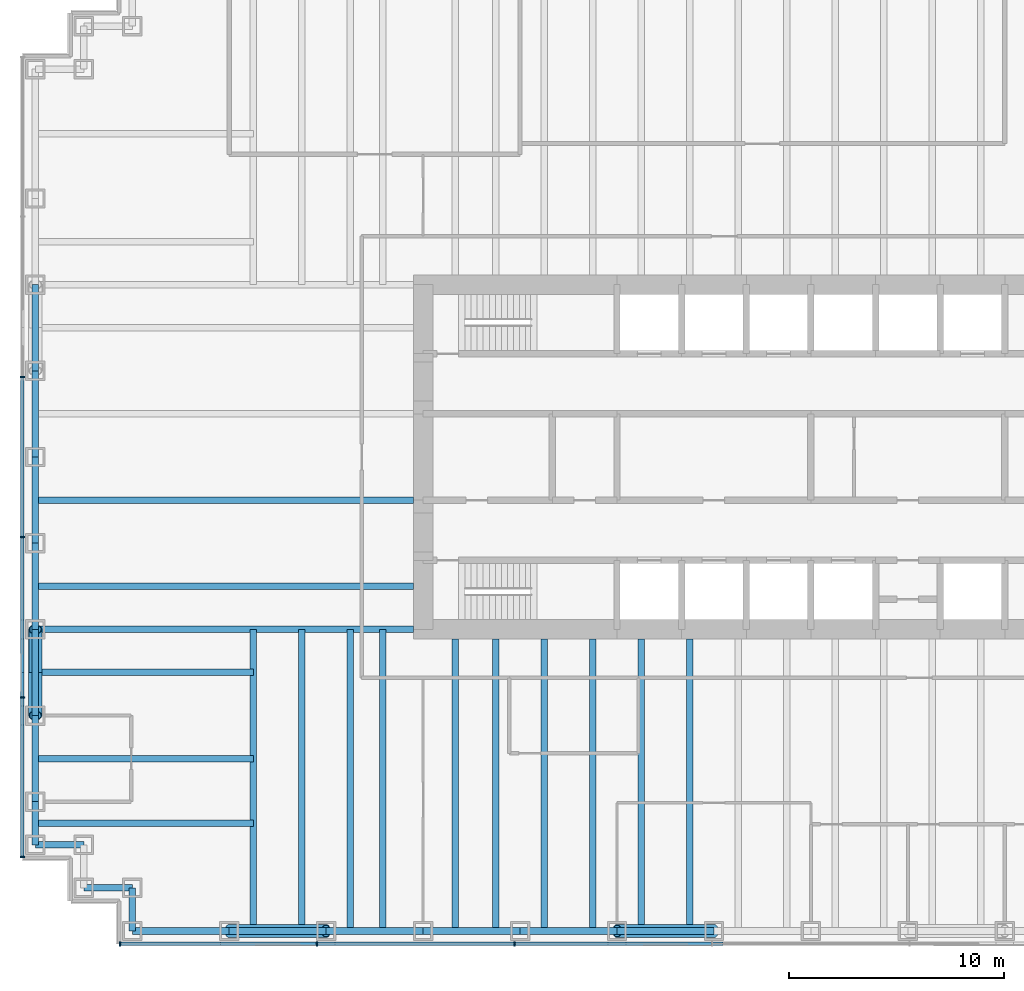
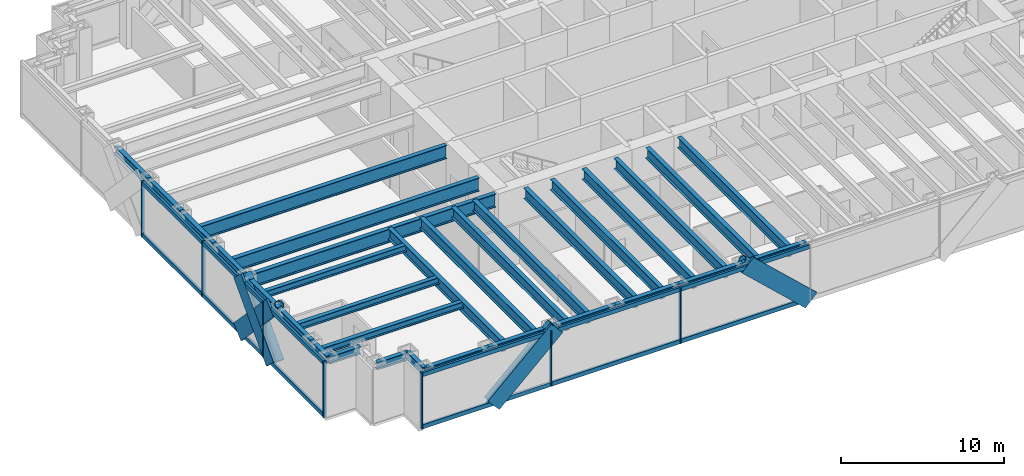
# One storey, part 2 of 17: 32 beams, 27 members, 2 elements without a shape of their own.
"""IFC4 building model written with IfcOpenShell, lengths in metres."""

from ifc_helpers import new_model, si_unit, direction, frame, origin, origin_2d, place, context, subcontext, project, spatial, rectangle, hollow_circle, i_section, extrude, material, material_profile, profile_set, type_object, element, aggregate, save


model = new_model("IFC4")

# Units and contexts
model_context = context("Model", 3, precision=1e-05, world=origin(), true_north=direction((0.0, 1.0)))
body_context = subcontext(model_context, "Body", "Model", "MODEL_VIEW")
ifc_project = project(units=[si_unit("LENGTHUNIT", "METRE"), si_unit("AREAUNIT", "SQUARE_METRE"), si_unit("VOLUMEUNIT", "CUBIC_METRE"), si_unit("PLANEANGLEUNIT", "RADIAN"), si_unit("MASSUNIT", "GRAM", prefix="KILO")], contexts=[model_context])

# Site, building, storey
site_placement = place(None, origin())
site = spatial("IfcSite", under=ifc_project, at=site_placement, CompositionType="ELEMENT")
building_placement = place(site_placement, origin())
building = spatial("IfcBuilding", under=site, at=building_placement, Name="Rheinbord Bourse Tower", CompositionType="ELEMENT")
storey_placement = place(building_placement, frame((0.0, 0.0, 129.89990234375)))
storey = spatial("IfcBuildingStorey", under=building, at=storey_placement, Name="L28", CompositionType="ELEMENT", Elevation=129.89990234375)

# Curtain wall, members
ifc_material_1 = material(Name="Dark glass and black aluminium", Category="aluminium")
curtain_wall_type = type_object("IfcCurtainWallType", Name="CW2 DARK GLASS CURTAIN WALL", PredefinedType="USERDEFINED", material=ifc_material_1)
curtain_wall_1_placement = place(storey_placement, origin())
curtain_wall_1 = element("IfcCurtainWall", 1, at=curtain_wall_1_placement, inside=storey, type_object=curtain_wall_type, Name="Curtain wall CW2 S L28", ObjectType="UNITISED CURTAIN WALL", PredefinedType="USERDEFINED")
ifc_material_2 = material(Name="Black anodised aluminium", Category="aluminium")
ifc_material_profile_1 = material_profile(ifc_material_2, rectangle(XDim=0.159912109375, YDim=1.2099609375, at=origin_2d()), Name="CW2 DIAGONAL MULLION 1210x160")
ifc_profile_set_1 = profile_set([ifc_material_profile_1], Name="Black anodised aluminium")
member_type_1 = type_object("IfcMemberType", Name="CW2 BLACK DIAGONAL MULLION", PredefinedType="USERDEFINED", material=ifc_profile_set_1)
member_1_placement = place(storey_placement, frame((9.0, 1.39990234375, 0.0), z_axis=(0.731039441158, 0.0, 0.682335207557), x_axis=(0.0, 1.0, 0.0)))
member_1 = element("IfcMember", 2, at=member_1_placement, type_object=member_type_1, Name="CW2 diagonal mullion a", ObjectType="DIAGONAL MULLION", PredefinedType="USERDEFINED", context=body_context, shape_type="SweptSolid", body=[
    extrude(rectangle(XDim=0.159912109375, YDim=1.2099609375, at=origin_2d()), origin(), (0.0, 0.0, 1.0), 6.155517578125),
])
member_2_placement = place(storey_placement, frame((31.5, 1.39990234375, 0.0), z_axis=(-0.731039441158, 0.0, 0.682335207557), x_axis=(0.0, -1.0, 0.0)))
member_2 = element("IfcMember", 3, at=member_2_placement, type_object=member_type_1, Name="CW2 diagonal mullion d", ObjectType="DIAGONAL MULLION", PredefinedType="USERDEFINED", context=body_context, shape_type="SweptSolid", body=[
    extrude(rectangle(XDim=0.159912109375, YDim=1.2099609375, at=origin_2d()), origin(), (0.0, 0.0, 1.0), 6.155517578125),
])

curtain_wall_2_placement = place(storey_placement, origin())
curtain_wall_2 = element("IfcCurtainWall", 4, at=curtain_wall_2_placement, inside=storey, type_object=curtain_wall_type, Name="Curtain wall CW2 W L28", ObjectType="UNITISED CURTAIN WALL", PredefinedType="USERDEFINED")
member_3_placement = place(storey_placement, frame((-0.60009765625, 12.0, 0.0), z_axis=(0.0, 0.689638355374, 0.72415394689), x_axis=(-1.0, 0.0, 0.0)))
member_3 = element("IfcMember", 5, at=member_3_placement, type_object=member_type_1, Name="CW2 diagonal mullion b", ObjectType="DIAGONAL MULLION", PredefinedType="USERDEFINED", context=body_context, shape_type="SweptSolid", body=[
    extrude(rectangle(XDim=0.159912109375, YDim=1.2099609375, at=origin_2d()), origin(), (0.0, 0.0, 1.0), 5.800048828125),
])
member_4_placement = place(storey_placement, frame((-0.60009765625, 16.0, 0.0), z_axis=(0.0, -0.689638355374, 0.72415394689), x_axis=(1.0, 0.0, 0.0)))
member_4 = element("IfcMember", 6, at=member_4_placement, type_object=member_type_1, Name="CW2 diagonal mullion c", ObjectType="DIAGONAL MULLION", PredefinedType="USERDEFINED", context=body_context, shape_type="SweptSolid", body=[
    extrude(rectangle(XDim=0.159912109375, YDim=1.2099609375, at=origin_2d()), origin(), (0.0, 0.0, 1.0), 5.800048828125),
])

# Member
ifc_material_3 = material(Name="Black anodised aluminium", Category="aluminium")
ifc_material_profile_2 = material_profile(ifc_material_3, rectangle(XDim=0.219970703125, YDim=0.070068359375, at=origin_2d()), Name="CW2 MULLION 70x220")
ifc_profile_set_2 = profile_set([ifc_material_profile_2], Name="Black anodised aluminium")
member_type_2 = type_object("IfcMemberType", Name="CW2 BLACK MULLION", PredefinedType="MULLION", material=ifc_profile_set_2)
member_5_placement = place(storey_placement, frame((3.93505859375, 1.39990234375, 0.0), z_axis=(0.0, 0.0, 1.0), x_axis=(0.0, 1.0, 0.0)))
member_5 = element("IfcMember", 7, at=member_5_placement, type_object=member_type_2, Name="CW2 mullion 1", PredefinedType="MULLION", context=body_context, shape_type="SweptSolid", body=[
    extrude(rectangle(XDim=0.219970703125, YDim=0.070068359375, at=origin_2d()), origin(), (0.0, 0.0, 1.0), 4.2001953125),
])

member_6_placement = place(storey_placement, frame((13.071533203125, 1.39990234375, 0.0), z_axis=(0.0, 0.0, 1.0), x_axis=(0.0, 1.0, 0.0)))
member_6 = element("IfcMember", 8, at=member_6_placement, type_object=member_type_2, Name="CW2 mullion 2", PredefinedType="MULLION", context=body_context, shape_type="SweptSolid", body=[
    extrude(rectangle(XDim=0.219970703125, YDim=0.070068359375, at=origin_2d()), origin(), (0.0, 0.0, 1.0), 4.2001953125),
])

member_7_placement = place(storey_placement, frame((22.242919921875, 1.39990234375, 0.0), z_axis=(0.0, 0.0, 1.0), x_axis=(0.0, 1.0, 0.0)))
member_7 = element("IfcMember", 9, at=member_7_placement, type_object=member_type_2, Name="CW2 mullion 3", PredefinedType="MULLION", context=body_context, shape_type="SweptSolid", body=[
    extrude(rectangle(XDim=0.219970703125, YDim=0.070068359375, at=origin_2d()), origin(), (0.0, 0.0, 1.0), 4.2001953125),
])

member_8_placement = place(storey_placement, frame((-0.60009765625, 27.719970703125, 0.0), z_axis=(0.0, 0.0, 1.0), x_axis=(1.0, 0.0, 0.0)))
member_8 = element("IfcMember", 10, at=member_8_placement, type_object=member_type_2, Name="CW2 mullion 3", PredefinedType="MULLION", context=body_context, shape_type="SweptSolid", body=[
    extrude(rectangle(XDim=0.219970703125, YDim=0.070068359375, at=origin_2d()), origin(), (0.0, 0.0, 1.0), 4.2001953125),
])

member_9_placement = place(storey_placement, frame((-0.60009765625, 20.280029296875, 0.0), z_axis=(0.0, 0.0, 1.0), x_axis=(1.0, 0.0, 0.0)))
member_9 = element("IfcMember", 11, at=member_9_placement, type_object=member_type_2, Name="CW2 mullion 4", PredefinedType="MULLION", context=body_context, shape_type="SweptSolid", body=[
    extrude(rectangle(XDim=0.219970703125, YDim=0.070068359375, at=origin_2d()), origin(), (0.0, 0.0, 1.0), 4.2001953125),
])

member_10_placement = place(storey_placement, frame((-0.60009765625, 12.840087890625, 0.0), z_axis=(0.0, 0.0, 1.0), x_axis=(1.0, 0.0, 0.0)))
member_10 = element("IfcMember", 12, at=member_10_placement, type_object=member_type_2, Name="CW2 mullion 5", PredefinedType="MULLION", context=body_context, shape_type="SweptSolid", body=[
    extrude(rectangle(XDim=0.219970703125, YDim=0.070068359375, at=origin_2d()), origin(), (0.0, 0.0, 1.0), 4.2001953125),
])

member_11_placement = place(storey_placement, frame((-0.60009765625, 5.43505859375, 0.0), z_axis=(0.0, 0.0, 1.0), x_axis=(1.0, 0.0, 0.0)))
member_11 = element("IfcMember", 13, at=member_11_placement, type_object=member_type_2, Name="CW2 mullion 6", PredefinedType="MULLION", context=body_context, shape_type="SweptSolid", body=[
    extrude(rectangle(XDim=0.219970703125, YDim=0.070068359375, at=origin_2d()), origin(), (0.0, 0.0, 1.0), 4.2001953125),
])

ifc_material_4 = material(Name="Black anodised aluminium", Category="aluminium")
ifc_material_profile_3 = material_profile(ifc_material_4, rectangle(XDim=0.159912109375, YDim=0.300048828125, at=origin_2d()), Name="CW2 TRANSOM 300x160")
ifc_profile_set_3 = profile_set([ifc_material_profile_3], Name="Black anodised aluminium")
member_type_3 = type_object("IfcMemberType", Name="CW2 BLACK TRANSOM", PredefinedType="USERDEFINED", material=ifc_profile_set_3)
member_12_placement = place(storey_placement, frame((3.969970703125, 1.39990234375, 0.150146484375), z_axis=(1.0, 0.0, 0.0), x_axis=(0.0, 1.0, 0.0)))
member_12 = element("IfcMember", 14, at=member_12_placement, type_object=member_type_3, Name="CW2 transom 1.1", ObjectType="TRANSOM", PredefinedType="USERDEFINED", context=body_context, shape_type="SweptSolid", body=[
    extrude(rectangle(XDim=0.159912109375, YDim=0.300048828125, at=origin_2d()), origin(), (0.0, 0.0, 1.0), 9.06640625),
])

member_13_placement = place(storey_placement, frame((3.969970703125, 1.39990234375, 4.050048828125), z_axis=(1.0, 0.0, 0.0), x_axis=(0.0, 1.0, 0.0)))
member_13 = element("IfcMember", 15, at=member_13_placement, type_object=member_type_3, Name="CW2 transom 1.2", ObjectType="TRANSOM", PredefinedType="USERDEFINED", context=body_context, shape_type="SweptSolid", body=[
    extrude(rectangle(XDim=0.159912109375, YDim=0.300048828125, at=origin_2d()), origin(), (0.0, 0.0, 1.0), 9.06640625),
])

member_14_placement = place(storey_placement, frame((13.1064453125, 1.39990234375, 0.150146484375), z_axis=(1.0, 0.0, 0.0), x_axis=(0.0, 1.0, 0.0)))
member_14 = element("IfcMember", 16, at=member_14_placement, type_object=member_type_3, Name="CW2 transom 2.1", ObjectType="TRANSOM", PredefinedType="USERDEFINED", context=body_context, shape_type="SweptSolid", body=[
    extrude(rectangle(XDim=0.159912109375, YDim=0.300048828125, at=origin_2d()), origin(), (0.0, 0.0, 1.0), 9.101318359375),
])

member_15_placement = place(storey_placement, frame((13.1064453125, 1.39990234375, 4.050048828125), z_axis=(1.0, 0.0, 0.0), x_axis=(0.0, 1.0, 0.0)))
member_15 = element("IfcMember", 17, at=member_15_placement, type_object=member_type_3, Name="CW2 transom 2.2", ObjectType="TRANSOM", PredefinedType="USERDEFINED", context=body_context, shape_type="SweptSolid", body=[
    extrude(rectangle(XDim=0.159912109375, YDim=0.300048828125, at=origin_2d()), origin(), (0.0, 0.0, 1.0), 9.101318359375),
])

member_16_placement = place(storey_placement, frame((22.27783203125, 1.39990234375, 0.150146484375), z_axis=(1.0, 0.0, 0.0), x_axis=(0.0, 1.0, 0.0)))
member_16 = element("IfcMember", 18, at=member_16_placement, type_object=member_type_3, Name="CW2 transom 3.1", ObjectType="TRANSOM", PredefinedType="USERDEFINED", context=body_context, shape_type="SweptSolid", body=[
    extrude(rectangle(XDim=0.159912109375, YDim=0.300048828125, at=origin_2d()), origin(), (0.0, 0.0, 1.0), 9.1015625),
])

member_17_placement = place(storey_placement, frame((22.27783203125, 1.39990234375, 4.050048828125), z_axis=(1.0, 0.0, 0.0), x_axis=(0.0, 1.0, 0.0)))
member_17 = element("IfcMember", 19, at=member_17_placement, type_object=member_type_3, Name="CW2 transom 3.2", ObjectType="TRANSOM", PredefinedType="USERDEFINED", context=body_context, shape_type="SweptSolid", body=[
    extrude(rectangle(XDim=0.159912109375, YDim=0.300048828125, at=origin_2d()), origin(), (0.0, 0.0, 1.0), 9.1015625),
])

aggregate(curtain_wall_1, [member_5, member_6, member_7, member_12, member_13, member_14, member_15, member_16, member_17, member_1, member_2])

member_18_placement = place(storey_placement, frame((-0.60009765625, 27.68505859375, 0.150146484375), z_axis=(0.0, -1.0, 0.0), x_axis=(1.0, 0.0, 0.0)))
member_18 = element("IfcMember", 20, at=member_18_placement, type_object=member_type_3, Name="CW2 transom 3.1", ObjectType="TRANSOM", PredefinedType="USERDEFINED", context=body_context, shape_type="SweptSolid", body=[
    extrude(rectangle(XDim=0.159912109375, YDim=0.300048828125, at=origin_2d()), origin(), (0.0, 0.0, 1.0), 7.3701171875),
])

member_19_placement = place(storey_placement, frame((-0.60009765625, 27.68505859375, 4.050048828125), z_axis=(0.0, -1.0, 0.0), x_axis=(1.0, 0.0, 0.0)))
member_19 = element("IfcMember", 21, at=member_19_placement, type_object=member_type_3, Name="CW2 transom 3.2", ObjectType="TRANSOM", PredefinedType="USERDEFINED", context=body_context, shape_type="SweptSolid", body=[
    extrude(rectangle(XDim=0.159912109375, YDim=0.300048828125, at=origin_2d()), origin(), (0.0, 0.0, 1.0), 7.3701171875),
])

member_20_placement = place(storey_placement, frame((-0.60009765625, 20.2451171875, 0.150146484375), z_axis=(0.0, -1.0, 0.0), x_axis=(1.0, 0.0, 0.0)))
member_20 = element("IfcMember", 22, at=member_20_placement, type_object=member_type_3, Name="CW2 transom 4.1", ObjectType="TRANSOM", PredefinedType="USERDEFINED", context=body_context, shape_type="SweptSolid", body=[
    extrude(rectangle(XDim=0.159912109375, YDim=0.300048828125, at=origin_2d()), origin(), (0.0, 0.0, 1.0), 7.3701171875),
])

member_21_placement = place(storey_placement, frame((-0.60009765625, 20.2451171875, 4.050048828125), z_axis=(0.0, -1.0, 0.0), x_axis=(1.0, 0.0, 0.0)))
member_21 = element("IfcMember", 23, at=member_21_placement, type_object=member_type_3, Name="CW2 transom 4.2", ObjectType="TRANSOM", PredefinedType="USERDEFINED", context=body_context, shape_type="SweptSolid", body=[
    extrude(rectangle(XDim=0.159912109375, YDim=0.300048828125, at=origin_2d()), origin(), (0.0, 0.0, 1.0), 7.3701171875),
])

member_22_placement = place(storey_placement, frame((-0.60009765625, 12.804931640625, 0.150146484375), z_axis=(0.0, -1.0, 0.0), x_axis=(1.0, 0.0, 0.0)))
member_22 = element("IfcMember", 24, at=member_22_placement, type_object=member_type_3, Name="CW2 transom 5.1", ObjectType="TRANSOM", PredefinedType="USERDEFINED", context=body_context, shape_type="SweptSolid", body=[
    extrude(rectangle(XDim=0.159912109375, YDim=0.300048828125, at=origin_2d()), origin(), (0.0, 0.0, 1.0), 7.3349609375),
])

member_23_placement = place(storey_placement, frame((-0.60009765625, 12.804931640625, 4.050048828125), z_axis=(0.0, -1.0, 0.0), x_axis=(1.0, 0.0, 0.0)))
member_23 = element("IfcMember", 25, at=member_23_placement, type_object=member_type_3, Name="CW2 transom 5.2", ObjectType="TRANSOM", PredefinedType="USERDEFINED", context=body_context, shape_type="SweptSolid", body=[
    extrude(rectangle(XDim=0.159912109375, YDim=0.300048828125, at=origin_2d()), origin(), (0.0, 0.0, 1.0), 7.3349609375),
])

aggregate(curtain_wall_2, [member_8, member_9, member_10, member_11, member_18, member_19, member_20, member_21, member_22, member_23, member_3, member_4])

# Beams
ifc_material_5 = material(Name="Steel S460", Category="steel")
ifc_material_profile_4 = material_profile(ifc_material_5, i_section(OverallWidth=0.302001953125, OverallDepth=1.008056640625, WebThickness=0.02099609375, FlangeThickness=0.0400390625, at=origin_2d()), Name="HEM 1000")
ifc_profile_set_4 = profile_set([ifc_material_profile_4], Name="Steel S460")
beam_type_1 = type_object("IfcBeamType", Name="END BEAM HEM 1000", PredefinedType="BEAM", material=ifc_profile_set_4)
for number, where, z_axis, x_axis, name in (
    (26, (0.0, 18.0, 3.5361328125), (1.0, 0.0, 0.0), (0.0, 1.0, 0.0), "End beam west 18 L29"),
    (27, (0.0, 22.0, 3.5361328125), (1.0, 0.0, 0.0), (0.0, 1.0, 0.0), "End beam west 22 L29"),
):
    element("IfcBeam", number, at=place(storey_placement, frame(where, z_axis=z_axis, x_axis=x_axis)), inside=storey, type_object=beam_type_1, Name=name, PredefinedType="BEAM", context=body_context, shape_type="SweptSolid", body=[
        extrude(i_section(OverallWidth=0.302001953125, OverallDepth=1.008056640625, WebThickness=0.02099609375, FlangeThickness=0.0400390625, at=origin_2d()), origin(), (0.0, 0.0, 1.0), 17.550048828125),
    ])
ifc_material_6 = material(Name="Steel S460", Category="steel")
ifc_material_profile_5 = material_profile(ifc_material_6, i_section(OverallWidth=0.300048828125, OverallDepth=0.800048828125, WebThickness=0.017578125, FlangeThickness=0.032958984375, at=origin_2d()), Name="HEB 800")
ifc_profile_set_5 = profile_set([ifc_material_profile_5], Name="Steel S460")
beam_type_2 = type_object("IfcBeamType", Name="FLOOR BEAM HEB 800", PredefinedType="BEAM", material=ifc_profile_set_5)
for number, where, z_axis, x_axis, name in (
    (28, (10.125, 2.0, 3.64013671875), (0.0, 1.0, 0.0), (-1.0, 0.0, 0.0), "Floor beam S-9a L29"),
    (29, (12.375, 2.0, 3.64013671875), (0.0, 1.0, 0.0), (-1.0, 0.0, 0.0), "Floor beam S-9b L29"),
    (30, (14.625, 2.0, 3.64013671875), (0.0, 1.0, 0.0), (-1.0, 0.0, 0.0), "Floor beam S-13.5a L29"),
    (31, (16.125, 2.0, 3.64013671875), (0.0, 1.0, 0.0), (-1.0, 0.0, 0.0), "Floor beam S-13.5b L29"),
):
    element("IfcBeam", number, at=place(storey_placement, frame(where, z_axis=z_axis, x_axis=x_axis)), inside=storey, type_object=beam_type_2, Name=name, PredefinedType="BEAM", context=body_context, shape_type="SweptSolid", body=[
        extrude(i_section(OverallWidth=0.300048828125, OverallDepth=0.800048828125, WebThickness=0.017578125, FlangeThickness=0.032958984375, at=origin_2d()), origin(), (0.0, 0.0, 1.0), 14.0),
    ])
for number, where, z_axis, x_axis, name in (
    (32, (19.5, 2.0, 3.64013671875), (0.0, 1.0, 0.0), (-1.0, 0.0, 0.0), "Floor beam S-18a L29"),
    (33, (21.375, 2.0, 3.64013671875), (0.0, 1.0, 0.0), (-1.0, 0.0, 0.0), "Floor beam S-18b L29"),
    (34, (23.625, 2.0, 3.64013671875), (0.0, 1.0, 0.0), (-1.0, 0.0, 0.0), "Floor beam S-22.5a L29"),
    (35, (25.875, 2.0, 3.64013671875), (0.0, 1.0, 0.0), (-1.0, 0.0, 0.0), "Floor beam S-22.5b L29"),
    (36, (28.125, 2.0, 3.64013671875), (0.0, 1.0, 0.0), (-1.0, 0.0, 0.0), "Floor beam S-27a L29"),
    (37, (30.375, 2.0, 3.64013671875), (0.0, 1.0, 0.0), (-1.0, 0.0, 0.0), "Floor beam S-27b L29"),
):
    element("IfcBeam", number, at=place(storey_placement, frame(where, z_axis=z_axis, x_axis=x_axis)), inside=storey, type_object=beam_type_2, Name=name, PredefinedType="BEAM", context=body_context, shape_type="SweptSolid", body=[
        extrude(i_section(OverallWidth=0.300048828125, OverallDepth=0.800048828125, WebThickness=0.017578125, FlangeThickness=0.032958984375, at=origin_2d()), origin(), (0.0, 0.0, 1.0), 13.550048828125),
    ])
ifc_material_7 = material(Name="Steel S460", Category="steel")
ifc_material_profile_6 = material_profile(ifc_material_7, i_section(OverallWidth=0.302001953125, OverallDepth=1.008056640625, WebThickness=0.02099609375, FlangeThickness=0.0400390625, at=origin_2d()), Name="HEM 1000")
ifc_profile_set_6 = profile_set([ifc_material_profile_6], Name="Steel S460")
beam_type_3 = type_object("IfcBeamType", Name="GIRDER HEM 1000", PredefinedType="BEAM", material=ifc_profile_set_6)
beam_1_placement = place(storey_placement, frame((0.0, 16.0, 3.5361328125), z_axis=(1.0, 0.0, 0.0), x_axis=(0.0, 1.0, 0.0)))
element("IfcBeam", 38, at=beam_1_placement, inside=storey, type_object=beam_type_3, Name="Girder west 16 L29", PredefinedType="BEAM", context=body_context, shape_type="SweptSolid", body=[
    extrude(i_section(OverallWidth=0.302001953125, OverallDepth=1.008056640625, WebThickness=0.02099609375, FlangeThickness=0.0400390625, at=origin_2d()), origin(), (0.0, 0.0, 1.0), 17.550048828125),
])

# Members
ifc_material_8 = material(Name="Steel S460", Category="steel")
ifc_material_profile_7 = material_profile(ifc_material_8, hollow_circle(Radius=0.304931640625, WallThickness=0.0400390625, at=origin_2d()), Name="CHS 610x40")
ifc_profile_set_7 = profile_set([ifc_material_profile_7], Name="Steel S460")
member_type_4 = type_object("IfcMemberType", Name="MEGABRACE CHS 610x40", PredefinedType="BRACE", material=ifc_profile_set_7)
for number, where, z_axis, x_axis, name in (
    (39, (9.0, 2.0, 0.0), (0.731039441158, 0.0, 0.682335207557), (0.0, 1.0, 0.0), "Megabrace S face line a L28"),
    (40, (31.5, 2.0, 0.0), (-0.731039441158, 0.0, 0.682335207557), (0.0, -1.0, 0.0), "Megabrace S face line d L28"),
):
    element("IfcMember", number, at=place(storey_placement, frame(where, z_axis=z_axis, x_axis=x_axis)), inside=storey, type_object=member_type_4, Name=name, PredefinedType="BRACE", context=body_context, shape_type="SweptSolid", body=[
        extrude(hollow_circle(Radius=0.304931640625, WallThickness=0.0400390625, at=origin_2d()), origin(), (0.0, 0.0, 1.0), 6.155517578125),
    ])
for number, where, z_axis, x_axis, name in (
    (41, (0.0, 12.0, 0.0), (0.0, 0.689638355374, 0.72415394689), (-1.0, 0.0, 0.0), "Megabrace W face line b L28"),
    (42, (0.0, 16.0, 0.0), (0.0, -0.689638355374, 0.72415394689), (1.0, 0.0, 0.0), "Megabrace W face line c L28"),
):
    element("IfcMember", number, at=place(storey_placement, frame(where, z_axis=z_axis, x_axis=x_axis)), inside=storey, type_object=member_type_4, Name=name, PredefinedType="BRACE", context=body_context, shape_type="SweptSolid", body=[
        extrude(hollow_circle(Radius=0.304931640625, WallThickness=0.0400390625, at=origin_2d()), origin(), (0.0, 0.0, 1.0), 5.800048828125),
    ])

# Beams
ifc_material_9 = material(Name="Steel S460", Category="steel")
ifc_material_profile_8 = material_profile(ifc_material_9, i_section(OverallWidth=0.305908203125, OverallDepth=0.572021484375, WebThickness=0.02099609375, FlangeThickness=0.0400390625, at=origin_2d()), Name="HEM 550")
ifc_profile_set_8 = profile_set([ifc_material_profile_8], Name="Steel S460")
beam_type_4 = type_object("IfcBeamType", Name="SPANDREL HEM 550", PredefinedType="SPANDREL", material=ifc_profile_set_8)
for number, where, z_axis, x_axis, name in (
    (43, (4.5, 2.0, 3.754150390625), (1.0, 0.0, 0.0), (0.0, 1.0, 0.0), "Spandrel SW-E-S-9 under L29"),
    (44, (9.0, 2.0, 3.754150390625), (1.0, 0.0, 0.0), (0.0, 1.0, 0.0), "Spandrel S-9-S-13.5 under L29"),
    (45, (13.5, 2.0, 3.754150390625), (1.0, 0.0, 0.0), (0.0, 1.0, 0.0), "Spandrel S-13.5-S-18 under L29"),
    (46, (18.0, 2.0, 3.754150390625), (1.0, 0.0, 0.0), (0.0, 1.0, 0.0), "Spandrel S-18-S-22.5 under L29"),
    (47, (22.5, 2.0, 3.754150390625), (1.0, 0.0, 0.0), (0.0, 1.0, 0.0), "Spandrel S-22.5-S-27 under L29"),
    (48, (27.0, 2.0, 3.754150390625), (1.0, 0.0, 0.0), (0.0, 1.0, 0.0), "Spandrel S-27-S-31.5 under L29"),
):
    element("IfcBeam", number, at=place(storey_placement, frame(where, z_axis=z_axis, x_axis=x_axis)), inside=storey, type_object=beam_type_4, Name=name, PredefinedType="SPANDREL", context=body_context, shape_type="SweptSolid", body=[
        extrude(i_section(OverallWidth=0.305908203125, OverallDepth=0.572021484375, WebThickness=0.02099609375, FlangeThickness=0.0400390625, at=origin_2d()), origin(), (0.0, 0.0, 1.0), 4.5),
    ])
for number, where, z_axis, x_axis, name in (
    (49, (0.0, 32.0, 3.754150390625), (0.0, -1.0, 0.0), (1.0, 0.0, 0.0), "Spandrel W-32-W-28 under L29"),
    (50, (0.0, 28.0, 3.754150390625), (0.0, -1.0, 0.0), (1.0, 0.0, 0.0), "Spandrel W-28-W-24 under L29"),
    (51, (0.0, 24.0, 3.754150390625), (0.0, -1.0, 0.0), (1.0, 0.0, 0.0), "Spandrel W-24-W-20 under L29"),
    (52, (0.0, 20.0, 3.754150390625), (0.0, -1.0, 0.0), (1.0, 0.0, 0.0), "Spandrel W-20-W-16 under L29"),
    (53, (0.0, 16.0, 3.754150390625), (0.0, -1.0, 0.0), (1.0, 0.0, 0.0), "Spandrel W-16-W-12 under L29"),
    (54, (0.0, 12.0, 3.754150390625), (0.0, -1.0, 0.0), (1.0, 0.0, 0.0), "Spandrel W-12-W-8 under L29"),
):
    element("IfcBeam", number, at=place(storey_placement, frame(where, z_axis=z_axis, x_axis=x_axis)), inside=storey, type_object=beam_type_4, Name=name, PredefinedType="SPANDREL", context=body_context, shape_type="SweptSolid", body=[
        extrude(i_section(OverallWidth=0.305908203125, OverallDepth=0.572021484375, WebThickness=0.02099609375, FlangeThickness=0.0400390625, at=origin_2d()), origin(), (0.0, 0.0, 1.0), 4.0),
    ])
beam_2_placement = place(storey_placement, frame((0.0, 8.0, 3.754150390625), z_axis=(0.0, -1.0, 0.0), x_axis=(1.0, 0.0, 0.0)))
element("IfcBeam", 55, at=beam_2_placement, inside=storey, type_object=beam_type_4, Name="Spandrel W-8-SW-A under L29", PredefinedType="SPANDREL", context=body_context, shape_type="SweptSolid", body=[
    extrude(i_section(OverallWidth=0.305908203125, OverallDepth=0.572021484375, WebThickness=0.02099609375, FlangeThickness=0.0400390625, at=origin_2d()), origin(), (0.0, 0.0, 1.0), 2.0),
])
for number, where, z_axis, x_axis, name in (
    (56, (0.0, 6.0, 3.754150390625), (1.0, 0.0, 0.0), (0.0, 1.0, 0.0), "Spandrel SW-A-SW-B under L29"),
    (57, (2.25, 4.0, 3.754150390625), (1.0, 0.0, 0.0), (0.0, 1.0, 0.0), "Spandrel SW-C-SW-D under L29"),
):
    element("IfcBeam", number, at=place(storey_placement, frame(where, z_axis=z_axis, x_axis=x_axis)), inside=storey, type_object=beam_type_4, Name=name, PredefinedType="SPANDREL", context=body_context, shape_type="SweptSolid", body=[
        extrude(i_section(OverallWidth=0.305908203125, OverallDepth=0.572021484375, WebThickness=0.02099609375, FlangeThickness=0.0400390625, at=origin_2d()), origin(), (0.0, 0.0, 1.0), 2.25),
    ])
beam_3_placement = place(storey_placement, frame((4.5, 4.0, 3.754150390625), z_axis=(0.0, -1.0, 0.0), x_axis=(1.0, 0.0, 0.0)))
element("IfcBeam", 58, at=beam_3_placement, inside=storey, type_object=beam_type_4, Name="Spandrel SW-D-SW-E under L29", PredefinedType="SPANDREL", context=body_context, shape_type="SweptSolid", body=[
    extrude(i_section(OverallWidth=0.305908203125, OverallDepth=0.572021484375, WebThickness=0.02099609375, FlangeThickness=0.0400390625, at=origin_2d()), origin(), (0.0, 0.0, 1.0), 2.0),
])
ifc_material_10 = material(Name="Steel S460", Category="steel")
ifc_material_profile_9 = material_profile(ifc_material_10, i_section(OverallWidth=0.300048828125, OverallDepth=0.5, WebThickness=0.014404296875, FlangeThickness=0.028076171875, at=origin_2d()), Name="HEB 500")
ifc_profile_set_9 = profile_set([ifc_material_profile_9], Name="Steel S460")
beam_type_5 = type_object("IfcBeamType", Name="TIE BEAM HEB 500", PredefinedType="JOIST", material=ifc_profile_set_9)
for number, where, z_axis, x_axis, name in (
    (59, (0.0, 7.0, 3.7900390625), (1.0, 0.0, 0.0), (0.0, 1.0, 0.0), "Tie west 7 L29"),
    (60, (0.0, 10.0, 3.7900390625), (1.0, 0.0, 0.0), (0.0, 1.0, 0.0), "Tie west 10 L29"),
    (61, (0.0, 14.0, 3.7900390625), (1.0, 0.0, 0.0), (0.0, 1.0, 0.0), "Tie west 14 L29"),
):
    element("IfcBeam", number, at=place(storey_placement, frame(where, z_axis=z_axis, x_axis=x_axis)), inside=storey, type_object=beam_type_5, Name=name, PredefinedType="JOIST", context=body_context, shape_type="SweptSolid", body=[
        extrude(i_section(OverallWidth=0.300048828125, OverallDepth=0.5, WebThickness=0.014404296875, FlangeThickness=0.028076171875, at=origin_2d()), origin(), (0.0, 0.0, 1.0), 10.125),
    ])

save(model, "model.ifc")
